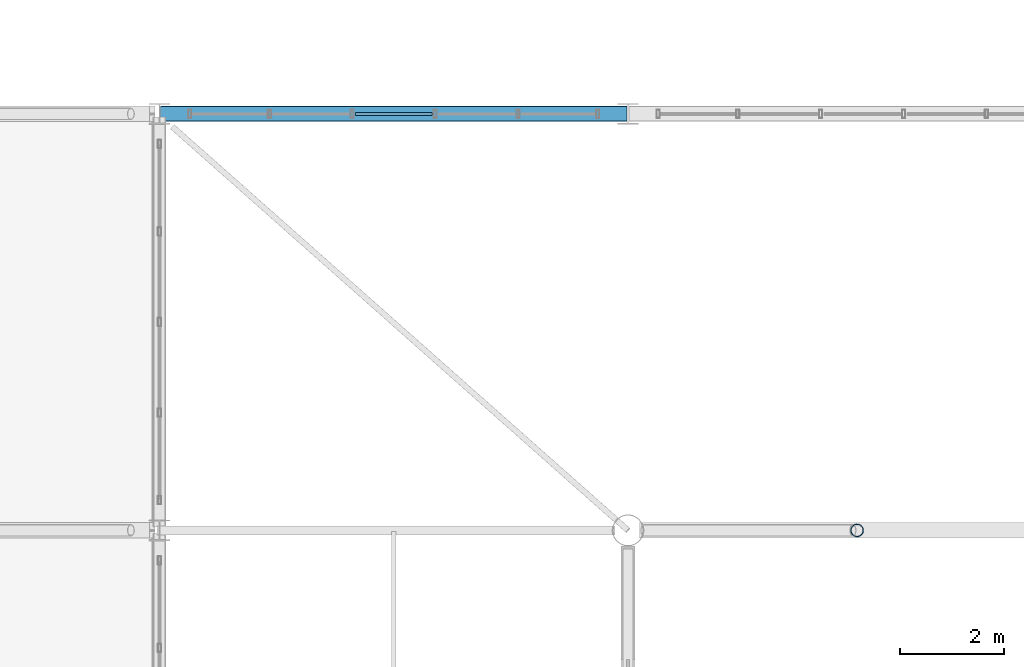
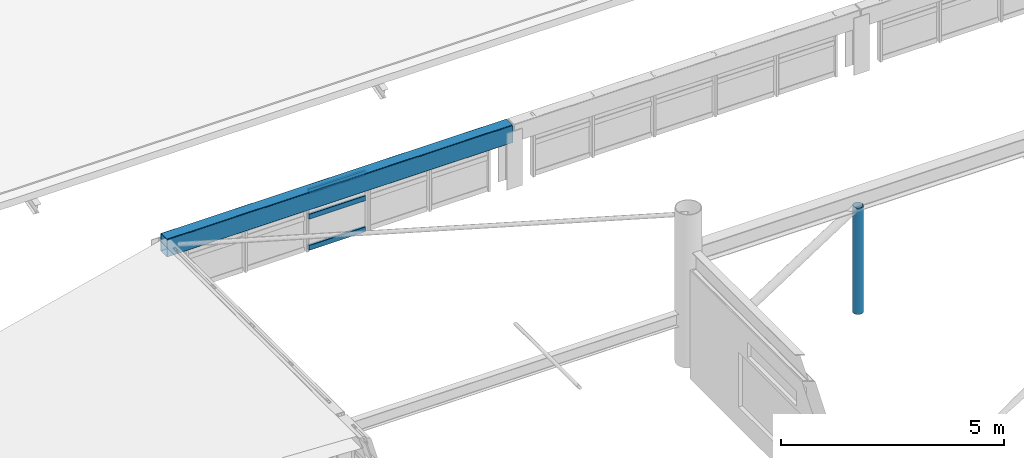
# One storey, part 50 of 128: 4 members, 1 beam, 1 element without a shape of its own.
"""IFC4 building model written with IfcOpenShell, lengths in metres."""

from ifc_helpers import new_model, si_unit, derived_unit, direction, frame, origin, origin_2d, place, context, subcontext, project, spatial, hollow_rectangle, hollow_circle, extrude, material, material_profile, profile_set, type_object, element, aggregate, save


model = new_model("IFC4")

# Units and contexts
model_context = context("Model", 3, precision=1e-05, world=origin(), true_north=direction((0.0, 1.0)))
body_context = subcontext(model_context, "Body", "Model", "MODEL_VIEW")
ifc_project = project(units=[si_unit("LENGTHUNIT", "METRE"), si_unit("AREAUNIT", "SQUARE_METRE"), si_unit("VOLUMEUNIT", "CUBIC_METRE"), si_unit("PLANEANGLEUNIT", "RADIAN"), si_unit("MASSUNIT", "GRAM", prefix="KILO"), derived_unit("THERMALTRANSMITTANCEUNIT", [(si_unit("MASSUNIT", "GRAM", prefix="KILO"), 1), (si_unit("TIMEUNIT", "SECOND"), -3), (si_unit("THERMODYNAMICTEMPERATUREUNIT", "KELVIN"), -1)])], contexts=[model_context])

# Site, building, storey
site_placement = place(None, origin())
site = spatial("IfcSite", under=ifc_project, at=site_placement, CompositionType="ELEMENT")
building_placement = place(site_placement, origin())
building = spatial("IfcBuilding", under=site, at=building_placement, Name="Zhenchuan Archway Interchange", CompositionType="ELEMENT")
storey_placement = place(building_placement, frame((0.0, 0.0, 14.39990234375)))
storey = spatial("IfcBuildingStorey", under=building, at=storey_placement, Name="L03", CompositionType="ELEMENT", Elevation=14.39990234375)

# Beam
ifc_material_1 = material(Name="Steel Q390", Category="steel")
ifc_material_profile_1 = material_profile(ifc_material_1, hollow_rectangle(XDim=0.300048828125, YDim=0.5, WallThickness=0.01611328125, InnerFilletRadius=0.01611328125, OuterFilletRadius=0.031982421875, at=origin_2d()), Name="RHS 500x300x16")
ifc_profile_set_1 = profile_set([ifc_material_profile_1], Name="Steel Q390")
beam_type = type_object("IfcBeamType", Name="BM_RING_RHS500", PredefinedType="BEAM", material=ifc_profile_set_1)
beam_placement = place(storey_placement, frame((27.02001953125, 88.0, 1.4501953125), z_axis=(1.0, 0.0, 0.0), x_axis=(0.0, 1.0, 0.0)))
element("IfcBeam", 1, at=beam_placement, inside=storey, type_object=beam_type, Name="CONCOURSE CABLE-NET RING BEAM N-1", PredefinedType="BEAM", context=body_context, shape_type="SweptSolid", body=[
    extrude(hollow_rectangle(XDim=0.300048828125, YDim=0.5, WallThickness=0.01611328125, InnerFilletRadius=0.01611328125, OuterFilletRadius=0.031982421875, at=origin_2d()), origin(), (0.0, 0.0, 1.0), 8.9599609375),
])

# Curtain wall, members
ifc_material_2 = material(Name="Anodised Aluminium", Category="aluminium")
curtain_wall_type = type_object("IfcCurtainWallType", Name="CW_UNIT_4", PredefinedType="NOTDEFINED", material=ifc_material_2)
curtain_wall_placement = place(storey_placement, origin())
curtain_wall = element("IfcCurtainWall", 2, at=curtain_wall_placement, inside=storey, type_object=curtain_wall_type, Name="Unitised curtain wall CW:L03:RING-N1", PredefinedType="NOTDEFINED")
ifc_material_profile_2 = material_profile(ifc_material_2, hollow_rectangle(XDim=0.06005859375, YDim=0.139892578125, WallThickness=0.00341796875, InnerFilletRadius=0.00341796875, OuterFilletRadius=0.007080078125, at=origin_2d()), Name="ALU 140x60x3.5")
ifc_profile_set_2 = profile_set([ifc_material_profile_2], Name="Anodised Aluminium")
member_type_1 = type_object("IfcMemberType", Name="CW_TRN_140", PredefinedType="USERDEFINED", material=ifc_profile_set_2)
member_1_placement = place(storey_placement, frame((30.763916015625, 88.0, 0.080078125), z_axis=(1.0, 0.0, 0.0), x_axis=(0.0, 1.0, 0.0)))
member_1 = element("IfcMember", 3, at=member_1_placement, type_object=member_type_1, Name="CW:L03:RING-N1 transom 2-1", ObjectType="TRANSOM", PredefinedType="USERDEFINED", context=body_context, shape_type="SweptSolid", body=[
    extrude(hollow_rectangle(XDim=0.06005859375, YDim=0.139892578125, WallThickness=0.00341796875, InnerFilletRadius=0.00341796875, OuterFilletRadius=0.007080078125, at=origin_2d()), origin(), (0.0, 0.0, 1.0), 1.47216796875),
])
member_2_placement = place(storey_placement, frame((30.763916015625, 88.0, 0.93310546875), z_axis=(1.0, 0.0, 0.0), x_axis=(0.0, 1.0, 0.0)))
member_2 = element("IfcMember", 4, at=member_2_placement, type_object=member_type_1, Name="CW:L03:RING-N1 transom 2-2", ObjectType="TRANSOM", PredefinedType="USERDEFINED", context=body_context, shape_type="SweptSolid", body=[
    extrude(hollow_rectangle(XDim=0.06005859375, YDim=0.139892578125, WallThickness=0.00341796875, InnerFilletRadius=0.00341796875, OuterFilletRadius=0.007080078125, at=origin_2d()), origin(), (0.0, 0.0, 1.0), 1.47216796875),
])
member_3_placement = place(storey_placement, frame((30.763916015625, 88.0, 1.6201171875), z_axis=(1.0, 0.0, 0.0), x_axis=(0.0, 1.0, 0.0)))
member_3 = element("IfcMember", 5, at=member_3_placement, type_object=member_type_1, Name="CW:L03:RING-N1 transom 2-3", ObjectType="TRANSOM", PredefinedType="USERDEFINED", context=body_context, shape_type="SweptSolid", body=[
    extrude(hollow_rectangle(XDim=0.06005859375, YDim=0.139892578125, WallThickness=0.00341796875, InnerFilletRadius=0.00341796875, OuterFilletRadius=0.007080078125, at=origin_2d()), origin(), (0.0, 0.0, 1.0), 1.47216796875),
])
aggregate(curtain_wall, [member_1, member_2, member_3])

# Member
ifc_material_3 = material(Name="Steel Q355", Category="steel")
ifc_material_profile_3 = material_profile(ifc_material_3, hollow_circle(Radius=0.12255859375, WallThickness=0.010009765625, at=origin_2d()), Name="CHS 245x10")
ifc_profile_set_3 = profile_set([ifc_material_profile_3], Name="Steel Q355")
member_type_2 = type_object("IfcMemberType", Name="MB_CHS245", PredefinedType="BRACE", material=ifc_profile_set_3)
member_4_placement = place(storey_placement, frame((40.39990234375, 80.0, -0.199951171875), z_axis=(0.0, 0.0, 1.0), x_axis=(1.0, 0.0, 0.0)))
element("IfcMember", 6, at=member_4_placement, inside=storey, type_object=member_type_2, Name="ROOF TRUSS concourse arch A6 spandrel post 1", PredefinedType="BRACE", context=body_context, shape_type="SweptSolid", body=[
    extrude(hollow_circle(Radius=0.12255859375, WallThickness=0.010009765625, at=origin_2d()), origin(), (0.0, 0.0, 1.0), 2.920166015625),
])

save(model, "model.ifc")
